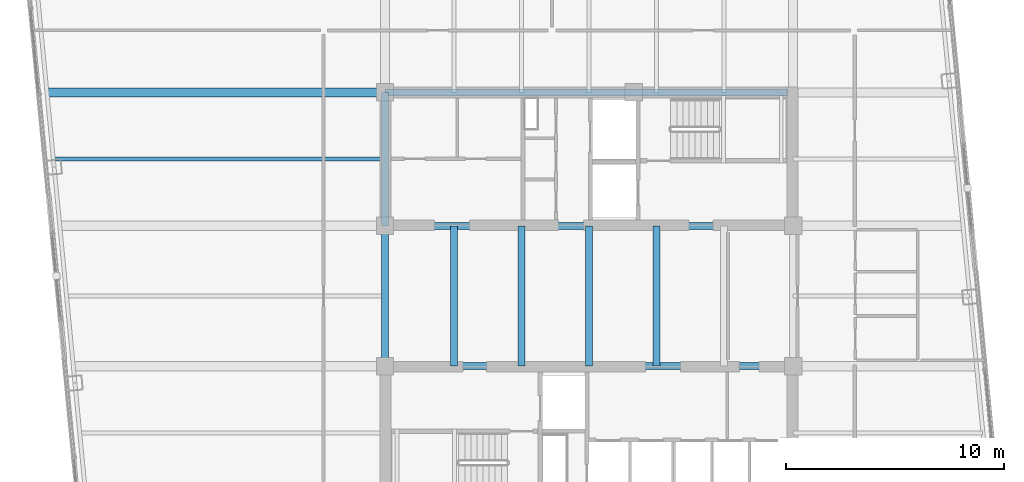
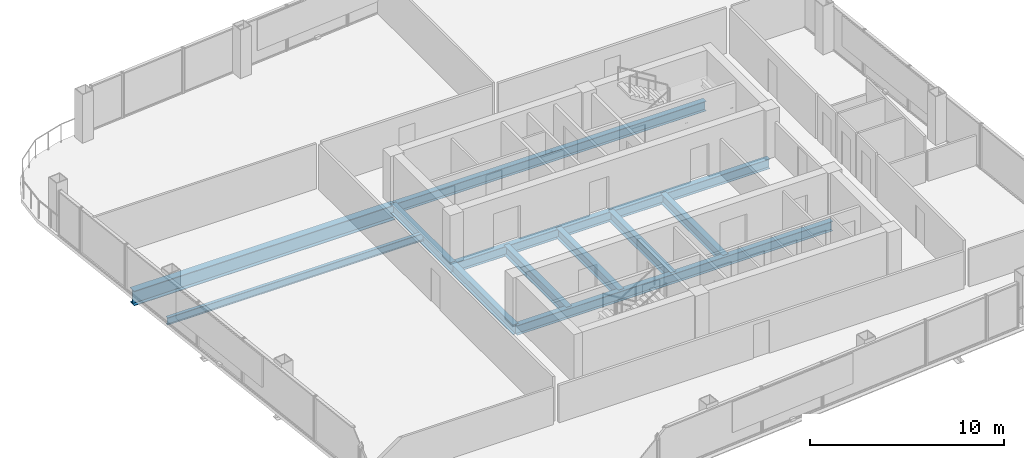
# One storey, part 8 of 21: 11 beams.
"""IFC4 building model written with IfcOpenShell, lengths in metres."""

from ifc_helpers import new_model, si_unit, direction, frame, origin, origin_2d, place, context, subcontext, project, spatial, i_section, extrude, material, material_profile, profile_set, type_object, element, save


model = new_model("IFC4")

# Units and contexts
model_context = context("Model", 3, precision=1e-05, world=origin(), true_north=direction((0.0, 1.0)))
body_context = subcontext(model_context, "Body", "Model", "MODEL_VIEW")
ifc_project = project(units=[si_unit("LENGTHUNIT", "METRE"), si_unit("AREAUNIT", "SQUARE_METRE"), si_unit("VOLUMEUNIT", "CUBIC_METRE"), si_unit("PLANEANGLEUNIT", "RADIAN"), si_unit("MASSUNIT", "GRAM", prefix="KILO")], contexts=[model_context])

# Site, building, storey
site_placement = place(None, origin())
site = spatial("IfcSite", under=ifc_project, at=site_placement, CompositionType="ELEMENT")
building_placement = place(site_placement, origin())
building = spatial("IfcBuilding", under=site, at=building_placement, Name="Qhalaya Broadcast Tower", CompositionType="ELEMENT")
storey_placement = place(building_placement, frame((0.0, 0.0, 162.25)))
storey = spatial("IfcBuildingStorey", under=building, at=storey_placement, Name="L47", CompositionType="ELEMENT", Elevation=162.25)

# Beams
ifc_material = material(Name="Structural Steel ASTM A992 Grade 50", Category="steel")
ifc_material_profile_1 = material_profile(ifc_material, i_section(OverallWidth=0.19189453125, OverallDepth=0.462890625, WebThickness=0.010498046875, FlangeThickness=0.017578125, at=origin_2d()), Name="W18X60")
ifc_profile_set_1 = profile_set([ifc_material_profile_1], Name="Structural Steel ASTM A992 Grade 50")
beam_type_1 = type_object("IfcBeamType", Name="Composite Floor Joist J03", PredefinedType="JOIST", material=ifc_profile_set_1)
beam_1_placement = place(storey_placement, frame((-24.589111328125, 6.89990234375, -0.451416015625), z_axis=(1.0, 0.0, 0.0), x_axis=(0.0, 1.0, 0.0)))
element("IfcBeam", 1, at=beam_1_placement, inside=storey, type_object=beam_type_1, Name="L47 J03 L47-JWE5W-1", PredefinedType="JOIST", context=body_context, shape_type="SweptSolid", body=[
    extrude(i_section(OverallWidth=0.19189453125, OverallDepth=0.462890625, WebThickness=0.010498046875, FlangeThickness=0.017578125, at=origin_2d()), origin(), (0.0, 0.0, 1.0), 15.214111328125),
])
ifc_material_profile_2 = material_profile(ifc_material, i_section(OverallWidth=0.323974609375, OverallDepth=0.612060546875, WebThickness=0.0126953125, FlangeThickness=0.01904296875, at=origin_2d()), Name="W24X104")
ifc_profile_set_2 = profile_set([ifc_material_profile_2], Name="Structural Steel ASTM A992 Grade 50")
beam_type_2 = type_object("IfcBeamType", Name="Core Frame Tie Beam B04", PredefinedType="BEAM", material=ifc_profile_set_2)
beam_2_placement = place(storey_placement, frame((-9.375, 3.824951171875, -0.52587890625), z_axis=(1.0, 0.0, 0.0), x_axis=(0.0, 1.0, 0.0)))
element("IfcBeam", 2, at=beam_2_placement, inside=storey, type_object=beam_type_2, Name="L47 B04 L47-CCN1", PredefinedType="BEAM", context=body_context, shape_type="SweptSolid", body=[
    extrude(i_section(OverallWidth=0.323974609375, OverallDepth=0.612060546875, WebThickness=0.0126953125, FlangeThickness=0.01904296875, at=origin_2d()), origin(), (0.0, 0.0, 1.0), 18.75),
])
beam_3_placement = place(storey_placement, frame((-9.375, 3.824951171875, -0.52587890625), z_axis=(0.0, 1.0, 0.0), x_axis=(-1.0, 0.0, 0.0)))
element("IfcBeam", 3, at=beam_3_placement, inside=storey, type_object=beam_type_2, Name="L47 B04 L47-CCN2", PredefinedType="BEAM", context=body_context, shape_type="SweptSolid", body=[
    extrude(i_section(OverallWidth=0.323974609375, OverallDepth=0.612060546875, WebThickness=0.0126953125, FlangeThickness=0.01904296875, at=origin_2d()), origin(), (0.0, 0.0, 1.0), 6.125),
])
beam_4_placement = place(storey_placement, frame((-9.375, 9.949951171875, -0.52587890625), z_axis=(1.0, 0.0, 0.0), x_axis=(0.0, 1.0, 0.0)))
element("IfcBeam", 4, at=beam_4_placement, inside=storey, type_object=beam_type_2, Name="L47 B04 L47-CCN3", PredefinedType="BEAM", context=body_context, shape_type="SweptSolid", body=[
    extrude(i_section(OverallWidth=0.323974609375, OverallDepth=0.612060546875, WebThickness=0.0126953125, FlangeThickness=0.01904296875, at=origin_2d()), origin(), (0.0, 0.0, 1.0), 18.4951171875),
])
beam_5_placement = place(storey_placement, frame((-9.375, -2.625, -0.52587890625), z_axis=(1.0, 0.0, 0.0), x_axis=(0.0, 1.0, 0.0)))
element("IfcBeam", 5, at=beam_5_placement, inside=storey, type_object=beam_type_2, Name="L47 B04 L47-CCS1", PredefinedType="BEAM", context=body_context, shape_type="SweptSolid", body=[
    extrude(i_section(OverallWidth=0.323974609375, OverallDepth=0.612060546875, WebThickness=0.0126953125, FlangeThickness=0.01904296875, at=origin_2d()), origin(), (0.0, 0.0, 1.0), 18.75),
])
for number, where, z_axis, x_axis, name in (
    (6, (-9.375, -2.625, -0.52587890625), (0.0, 1.0, 0.0), (-1.0, 0.0, 0.0), "L47 B04 L47-CCW"),
    (7, (-6.199951171875, -2.625, -0.52587890625), (0.0, 1.0, 0.0), (-1.0, 0.0, 0.0), "L47 B04 L47-JC1-1"),
    (8, (-3.10009765625, -2.625, -0.52587890625), (0.0, 1.0, 0.0), (-1.0, 0.0, 0.0), "L47 B04 L47-JC2-1"),
    (9, (0.0, -2.625, -0.52587890625), (0.0, 1.0, 0.0), (-1.0, 0.0, 0.0), "L47 B04 L47-JC3-1"),
    (10, (3.10009765625, -2.625, -0.52587890625), (0.0, 1.0, 0.0), (-1.0, 0.0, 0.0), "L47 B04 L47-JC4-1"),
):
    element("IfcBeam", number, at=place(storey_placement, frame(where, z_axis=z_axis, x_axis=x_axis)), inside=storey, type_object=beam_type_2, Name=name, PredefinedType="BEAM", context=body_context, shape_type="SweptSolid", body=[
        extrude(i_section(OverallWidth=0.323974609375, OverallDepth=0.612060546875, WebThickness=0.0126953125, FlangeThickness=0.01904296875, at=origin_2d()), origin(), (0.0, 0.0, 1.0), 6.449951171875),
    ])
ifc_material_profile_3 = material_profile(ifc_material, i_section(OverallWidth=0.4189453125, OverallDepth=0.927001953125, WebThickness=0.019287109375, FlangeThickness=0.031982421875, at=origin_2d()), Name="W36X231")
ifc_profile_set_3 = profile_set([ifc_material_profile_3], Name="Structural Steel ASTM A992 Grade 50")
beam_type_3 = type_object("IfcBeamType", Name="Mid Block Primary Girder PG3", PredefinedType="USERDEFINED", material=ifc_profile_set_3)
beam_6_placement = place(storey_placement, frame((-24.882568359375, 9.949951171875, -0.68359375), z_axis=(1.0, 0.0, 0.0), x_axis=(0.0, 1.0, 0.0)))
element("IfcBeam", 11, at=beam_6_placement, inside=storey, type_object=beam_type_3, Name="L47 PG3 L47-PGYW4-1", ObjectType="GIRDER", PredefinedType="USERDEFINED", context=body_context, shape_type="SweptSolid", body=[
    extrude(i_section(OverallWidth=0.4189453125, OverallDepth=0.927001953125, WebThickness=0.019287109375, FlangeThickness=0.031982421875, at=origin_2d()), origin(), (0.0, 0.0, 1.0), 15.507568359375),
])

save(model, "model.ifc")
